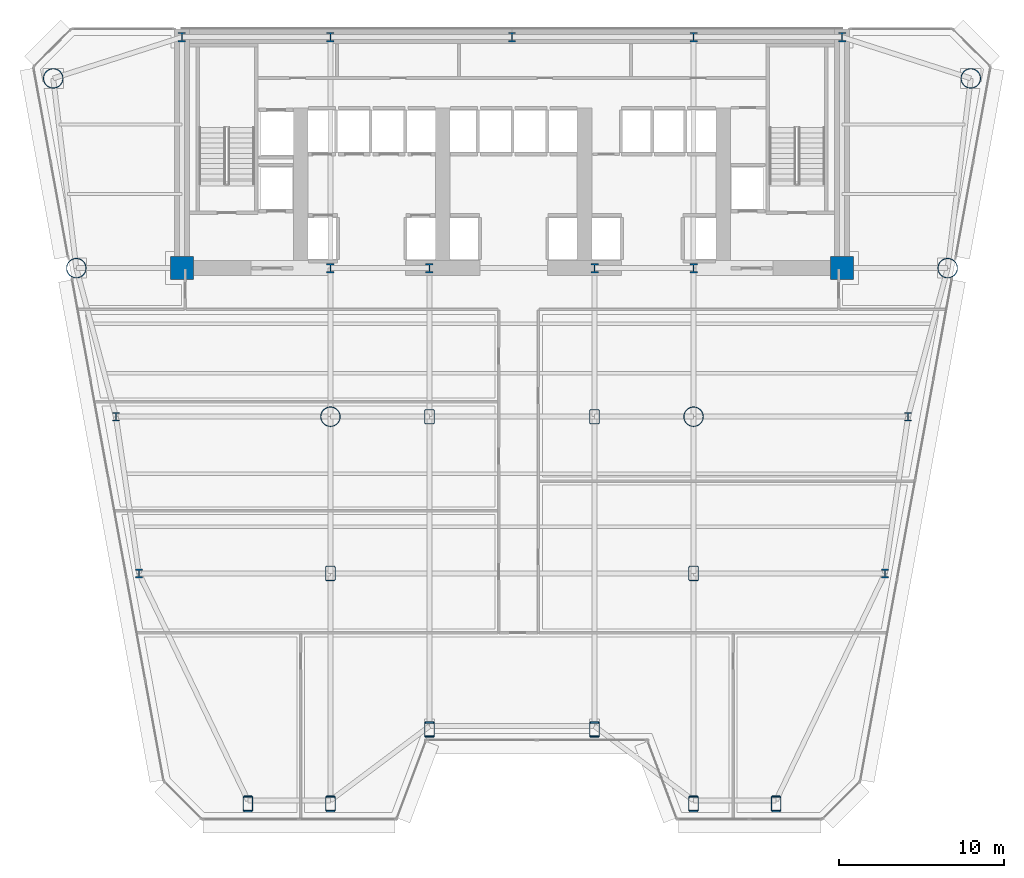
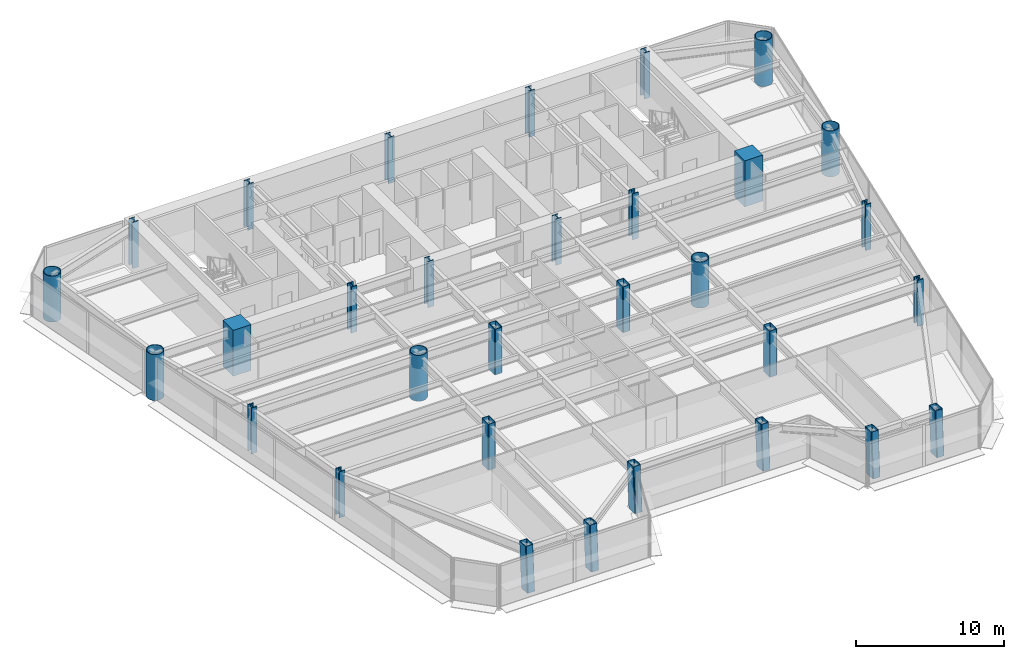
# One storey, part 1 of 14: 31 columns.
"""IFC4 building model written with IfcOpenShell, lengths in metres."""

import ifcopenshell
import ifcopenshell.guid

model = None  # the IFC model being written
_history = None  # IfcOwnerHistory: only IFC2X3 demands one
_inside = {}  # id of a spatial element -> (the spatial element, [elements in it])
_under = {}  # id of a project, library or spatial element -> (it, [spatial elements below it])
_declared = {}  # id of a project -> (the project, [libraries it declares])
_typed = {}  # id of a type object -> (the type object, [elements of that type])
_made_of = {}  # id of a material, layer set ... -> (it, [elements and type objects made of it])


def new_model(schema):
    """Start an empty IFC model of exactly this schema.

    Asked for "IFC4X3", IfcOpenShell would pick the latest addendum, in which some entities
    have other attributes; the version numbers below select the first issue.
    IFC2X3 requires an IfcOwnerHistory on every rooted entity: one is made here for all.
    """
    global model, _history
    if schema == "IFC4X3":
        model = ifcopenshell.file(schema_version=(4, 3, 0, 0))
    else:
        model = ifcopenshell.file(schema=schema)
    _inside.clear()
    _under.clear()
    _declared.clear()
    _typed.clear()
    _made_of.clear()
    _history = None
    if model.schema == "IFC2X3":
        org = make("IfcOrganization", Name="unknown")
        user = make(
            "IfcPersonAndOrganization",
            ThePerson=make("IfcPerson", FamilyName="unknown"),
            TheOrganization=org,
        )
        app = make(
            "IfcApplication",
            ApplicationDeveloper=org,
            Version="unknown",
            ApplicationFullName="unknown",
            ApplicationIdentifier="unknown",
        )
        _history = make(
            "IfcOwnerHistory",
            OwningUser=user,
            OwningApplication=app,
            ChangeAction="ADDED",
            CreationDate=0,
        )
    return model


def make(cls, **values):
    """One entity of the class cls with the attributes given. An attribute that is None is left unset."""
    return model.create_entity(
        cls, **{name: value for name, value in values.items() if value is not None}
    )


def rooted(cls, **values):
    """An entity with a GlobalId (a new one), such as an element, a storey or a relation."""
    return make(cls, GlobalId=ifcopenshell.guid.new(), OwnerHistory=_history, **values)


def si_unit(unit_type, name, prefix=None):
    """IfcSIUnit, for example si_unit("LENGTHUNIT", "METRE", prefix="MILLI")."""
    return make("IfcSIUnit", UnitType=unit_type, Prefix=prefix, Name=name)


def assignment(units):
    """IfcUnitAssignment: the units of a project."""
    return None if units is None else make("IfcUnitAssignment", Units=units)


def point(xyz):
    """IfcCartesianPoint."""
    return None if xyz is None else make("IfcCartesianPoint", Coordinates=xyz)


def direction(xyz):
    """IfcDirection."""
    return None if xyz is None else make("IfcDirection", DirectionRatios=xyz)


def frame(location, z_axis=None, x_axis=None):
    """IfcAxis2Placement3D, a coordinate frame: its origin and axes. An axis left out is left unset."""
    return make(
        "IfcAxis2Placement3D",
        Location=point(location),
        Axis=direction(z_axis),
        RefDirection=direction(x_axis),
    )


def frame_2d(location, x_axis=None):
    """IfcAxis2Placement2D, a coordinate frame in the plane: its origin and x axis."""
    return make(
        "IfcAxis2Placement2D", Location=point(location), RefDirection=direction(x_axis)
    )


def origin():
    """The frame at (0, 0, 0) with its axes left unset."""
    return frame((0.0, 0.0, 0.0))


def origin_2d():
    """The frame at (0, 0) in the plane with its x axis left unset."""
    return frame_2d((0.0, 0.0))


def place(relative_to, where):
    """IfcLocalPlacement: puts the frame where relative to a parent placement (None: the world)."""
    return make(
        "IfcLocalPlacement", PlacementRelTo=relative_to, RelativePlacement=where
    )


def context(
    kind, dimensions, precision=None, world=None, true_north=None, identifier=None
):
    """IfcGeometricRepresentationContext, for example the 3D "Model" context."""
    return make(
        "IfcGeometricRepresentationContext",
        ContextIdentifier=identifier,
        ContextType=kind,
        CoordinateSpaceDimension=dimensions,
        Precision=precision,
        WorldCoordinateSystem=world,
        TrueNorth=true_north,
    )


def subcontext(parent, identifier, kind, view, scale=None):
    """IfcGeometricRepresentationSubContext, for example "Body" below "Model"."""
    return make(
        "IfcGeometricRepresentationSubContext",
        ContextIdentifier=identifier,
        ContextType=kind,
        ParentContext=parent,
        TargetScale=scale,
        TargetView=view,
    )


def project(units=None, contexts=None):
    """IfcProject with its units and contexts."""
    return rooted(
        "IfcProject",
        Name="project",
        RepresentationContexts=contexts,
        UnitsInContext=assignment(units),
    )


def spatial(cls, under=None, at=None, **own):
    """A site, building, storey or space (cls), placed at a placement, below another one or the project."""
    s = rooted(cls, ObjectPlacement=at, **own)
    if under is not None:
        _under.setdefault(under.id(), (under, []))[1].append(s)
    return s


def profile(cls, at=None, kind="AREA", **sizes):
    """A parametric profile (cls). Its sizes go by their IFC names, for example OverallWidth=200.0."""
    return make(cls, ProfileType=kind, Position=at, **sizes)


def rectangle(**sizes):
    """IfcRectangleProfileDef."""
    return profile("IfcRectangleProfileDef", **sizes)


def hollow_rectangle(**sizes):
    """IfcRectangleHollowProfileDef."""
    return profile("IfcRectangleHollowProfileDef", **sizes)


def hollow_circle(**sizes):
    """IfcCircleHollowProfileDef."""
    return profile("IfcCircleHollowProfileDef", **sizes)


def i_section(**sizes):
    """IfcIShapeProfileDef."""
    return profile("IfcIShapeProfileDef", **sizes)


def extrude(swept, where, along, depth):
    """IfcExtrudedAreaSolid: the profile swept, set in the frame where, extruded along a direction by depth."""
    return make(
        "IfcExtrudedAreaSolid",
        SweptArea=swept,
        Position=where,
        ExtrudedDirection=direction(along),
        Depth=depth,
    )


def shape(context_of_items, identifier, shape_type, items):
    """IfcShapeRepresentation: the items that make up one representation, for example the "Body"."""
    return make(
        "IfcShapeRepresentation",
        ContextOfItems=context_of_items,
        RepresentationIdentifier=identifier,
        RepresentationType=shape_type,
        Items=items,
    )


def source(mapping_origin, context_of_items, identifier, shape_type, items):
    """IfcRepresentationMap: a shape defined once, which mapped items show again and again."""
    return make(
        "IfcRepresentationMap",
        MappingOrigin=mapping_origin,
        MappedRepresentation=shape(context_of_items, identifier, shape_type, items),
    )


def transform(
    local_origin,
    x_axis=None,
    y_axis=None,
    z_axis=None,
    scale=None,
    scale2=None,
    scale3=None,
    uniform=True,
):
    """IfcCartesianTransformationOperator3D, or its non-uniform kind. x_axis, y_axis, z_axis: its Axis1, 2, 3."""
    if uniform:
        return make(
            "IfcCartesianTransformationOperator3D",
            Axis1=direction(x_axis),
            Axis2=direction(y_axis),
            LocalOrigin=point(local_origin),
            Scale=scale,
            Axis3=direction(z_axis),
        )
    return make(
        "IfcCartesianTransformationOperator3DnonUniform",
        Axis1=direction(x_axis),
        Axis2=direction(y_axis),
        LocalOrigin=point(local_origin),
        Scale=scale,
        Axis3=direction(z_axis),
        Scale2=scale2,
        Scale3=scale3,
    )


def mapped(mapping_source, mapping_target):
    """IfcMappedItem: shows the shape of a source again, moved by a transform."""
    return make(
        "IfcMappedItem", MappingSource=mapping_source, MappingTarget=mapping_target
    )


def material(Name=None, Category=None):
    """IfcMaterial."""
    return make("IfcMaterial", Name=Name, Category=Category)


def material_profile(
    of_material, cross_section, Name=None, Category=None, Priority=None
):
    """IfcMaterialProfile: a cross section and its material."""
    return make(
        "IfcMaterialProfile",
        Name=Name,
        Material=of_material,
        Profile=cross_section,
        Priority=Priority,
        Category=Category,
    )


def profile_set(profiles, Name=None, composite=None):
    """IfcMaterialProfileSet."""
    return make(
        "IfcMaterialProfileSet",
        Name=Name,
        MaterialProfiles=profiles,
        CompositeProfile=composite,
    )


def made_of(thing, what):
    """Note that an element or type object is made of a material, layer set ...; save() writes the relation."""
    if what is not None:
        _made_of.setdefault(what.id(), (what, []))[1].append(thing)
    return thing


def type_object(cls, material=None, **own):
    """A type object (cls), such as IfcWallType, which elements share."""
    return made_of(rooted(cls, **own), material)


def element(
    cls,
    number,
    at=None,
    inside=None,
    cuts=None,
    type_object=None,
    material=None,
    context=None,
    identifier="Body",
    shape_type=None,
    held_by="IfcProductDefinitionShape",
    body=None,
    shapes=None,
    **own,
):
    """One element of the class cls, such as IfcWall. Its Tag is "e" and its number.

    at: its placement. inside: the storey or other place that contains it. cuts: it is an
    opening in that element (IfcRelVoidsElement). A single representation is given by context,
    identifier, shape_type and body (its items); several are given by shapes. held_by: the class
    of the entity that holds the representations. save() writes the other relations.
    """
    e = rooted(cls, Tag="e%d" % number, ObjectPlacement=at, **own)
    if body is not None:
        shapes = [shape(context, identifier, shape_type, body)]
    if shapes is not None:
        e.Representation = make(held_by, Representations=shapes)
    if inside is not None:
        _inside.setdefault(inside.id(), (inside, []))[1].append(e)
    if cuts is not None:
        rooted(
            "IfcRelVoidsElement", RelatingBuildingElement=cuts, RelatedOpeningElement=e
        )
    if type_object is not None:
        _typed.setdefault(type_object.id(), (type_object, []))[1].append(e)
    return made_of(e, material)


def aggregate(whole, parts):
    """IfcRelAggregates: a whole, such as a stair, and the parts it consists of."""
    return rooted("IfcRelAggregates", RelatingObject=whole, RelatedObjects=parts)


def save(model, path):
    """Write the relations noted so far, then the file.

    IfcRelAggregates (storeys below a building ...), IfcRelContainedInSpatialStructure (elements
    in a storey), IfcRelDefinesByType, IfcRelAssociatesMaterial and IfcRelDeclares: one each for
    every whole, place, type object, material and project.
    """
    for whole, parts in _under.values():
        aggregate(whole, parts)
    for where, things in _inside.values():
        rooted(
            "IfcRelContainedInSpatialStructure",
            RelatedElements=things,
            RelatingStructure=where,
        )
    for kind, things in _typed.values():
        rooted("IfcRelDefinesByType", RelatedObjects=things, RelatingType=kind)
    for what, things in _made_of.values():
        rooted("IfcRelAssociatesMaterial", RelatedObjects=things, RelatingMaterial=what)
    for by, libraries in _declared.values():
        rooted("IfcRelDeclares", RelatingContext=by, RelatedDefinitions=libraries)
    model.write(path)


model = new_model("IFC4")

# Units and contexts
model_context = context("Model", 3, precision=1e-05, world=origin(), true_north=direction((0.0, 1.0)))
body_context = subcontext(model_context, "Body", "Model", "MODEL_VIEW")
ifc_project = project(units=[si_unit("LENGTHUNIT", "METRE"), si_unit("AREAUNIT", "SQUARE_METRE"), si_unit("VOLUMEUNIT", "CUBIC_METRE"), si_unit("PLANEANGLEUNIT", "RADIAN"), si_unit("MASSUNIT", "GRAM", prefix="KILO")], contexts=[model_context])

# Site, building, storey
site_placement = place(None, origin())
site = spatial("IfcSite", under=ifc_project, at=site_placement, CompositionType="ELEMENT")
building_placement = place(site_placement, origin())
building = spatial("IfcBuilding", under=site, at=building_placement, Name="Vaeldorn Concourse Tower", CompositionType="ELEMENT")
storey_placement = place(building_placement, frame((0.0, 0.0, 68.199951171875)))
storey = spatial("IfcBuildingStorey", under=building, at=storey_placement, Name="L17", CompositionType="ELEMENT", Elevation=68.199951171875)

# Columns
ifc_material_1 = material(Name="Concrete C60/75", Category="concrete")
ifc_material_profile_1 = material_profile(ifc_material_1, rectangle(XDim=1.39990234375, YDim=1.39990234375, at=origin_2d()), Name="RC 1400x1400")
ifc_profile_set_1 = profile_set([ifc_material_profile_1], Name="Concrete C60/75")
column_type_1 = type_object("IfcColumnType", Name="COL-RC1400", PredefinedType="COLUMN", material=ifc_profile_set_1)
shared_shape_1 = source(origin(), body_context, "Body", "SweptSolid", [
    extrude(rectangle(XDim=1.39990234375, YDim=1.39990234375, at=origin_2d()), origin(), (0.0, 0.0, 1.0), 3.800048828125),
])
for number, where, z_axis, x_axis, name in (
    (1, (14.0, 36.5, 0.0), (0.0, 0.0, 1.0), (1.0, 0.0, 0.0), "Column C-FC1 L17"),
    (2, (54.0, 36.5, 0.0), (0.0, 0.0, 1.0), (1.0, 0.0, 0.0), "Column C-FC6 L17"),
):
    element("IfcColumn", number, at=place(storey_placement, frame(where, z_axis=z_axis, x_axis=x_axis)), inside=storey, type_object=column_type_1, Name=name, PredefinedType="COLUMN", context=body_context, shape_type="MappedRepresentation", body=[
        mapped(shared_shape_1, transform((0.0, 0.0, 0.0), scale=1.0)),
    ])
ifc_material_2 = material(Name="Steel S460", Category="steel")
ifc_material_profile_2 = material_profile(ifc_material_2, i_section(OverallWidth=0.4541015625, OverallDepth=0.569091796875, WebThickness=0.077880859375, FlangeThickness=0.080078125, FilletRadius=0.014892578125, at=origin_2d()), Name="HD 400x1086")
ifc_profile_set_2 = profile_set([ifc_material_profile_2], Name="Steel S460")
column_type_2 = type_object("IfcColumnType", Name="COL-HD1086", PredefinedType="COLUMN", material=ifc_profile_set_2)
shared_shape_2 = source(origin(), body_context, "Body", "SweptSolid", [
    extrude(i_section(OverallWidth=0.4541015625, OverallDepth=0.569091796875, WebThickness=0.077880859375, FlangeThickness=0.080078125, FilletRadius=0.014892578125, at=origin_2d()), origin(), (0.0, 0.0, 1.0), 3.800048828125),
])
for number, where, z_axis, x_axis, name in (
    (3, (23.0, 36.5, 0.0), (0.0, 0.0, 1.0), (1.0, 0.0, 0.0), "Column C-FC2 L17"),
    (4, (29.0, 36.5, 0.0), (0.0, 0.0, 1.0), (1.0, 0.0, 0.0), "Column C-FC3 L17"),
    (5, (39.0, 36.5, 0.0), (0.0, 0.0, 1.0), (1.0, 0.0, 0.0), "Column C-FC4 L17"),
    (6, (45.0, 36.5, 0.0), (0.0, 0.0, 1.0), (1.0, 0.0, 0.0), "Column C-FC5 L17"),
    (7, (14.0, 50.5, 0.0), (0.0, 0.0, 1.0), (1.0, 0.0, 0.0), "Column C-HC1 L17"),
    (8, (23.0, 50.5, 0.0), (0.0, 0.0, 1.0), (1.0, 0.0, 0.0), "Column C-HC2 L17"),
    (9, (34.0, 50.5, 0.0), (0.0, 0.0, 1.0), (1.0, 0.0, 0.0), "Column C-HC3 L17"),
    (10, (45.0, 50.5, 0.0), (0.0, 0.0, 1.0), (1.0, 0.0, 0.0), "Column C-HC4 L17"),
    (11, (54.0, 50.5, 0.0), (0.0, 0.0, 1.0), (1.0, 0.0, 0.0), "Column C-HC5 L17"),
):
    element("IfcColumn", number, at=place(storey_placement, frame(where, z_axis=z_axis, x_axis=x_axis)), inside=storey, type_object=column_type_2, Name=name, PredefinedType="COLUMN", context=body_context, shape_type="MappedRepresentation", body=[
        mapped(shared_shape_2, transform((0.0, 0.0, 0.0), scale=1.0)),
    ])
ifc_material_profile_3 = material_profile(ifc_material_2, hollow_circle(Radius=0.609619140625, WallThickness=0.050048828125, at=origin_2d()), Name="CHS 1219x50")
ifc_profile_set_3 = profile_set([ifc_material_profile_3], Name="Steel S460")
column_type_3 = type_object("IfcColumnType", Name="COL-CHS1219", PredefinedType="COLUMN", material=ifc_profile_set_3)
shared_shape_3 = source(origin(), body_context, "Body", "SweptSolid", [
    extrude(hollow_circle(Radius=0.609619140625, WallThickness=0.050048828125, at=origin_2d()), origin(), (0.0, 0.0, 1.0), 3.800048828125),
])
for number, where, z_axis, x_axis, name in (
    (12, (6.199951171875, 48.0, 0.0), (0.0, 0.0, 1.0), (1.0, 0.0, 0.0), "Column C-NW1 L17"),
    (13, (7.60009765625, 36.5, 0.0), (0.0, 0.0, 1.0), (1.0, 0.0, 0.0), "Column C-NW2 L17"),
    (14, (61.800048828125, 48.0, 0.0), (0.0, 0.0, 1.0), (1.0, 0.0, 0.0), "Column C-NE1 L17"),
    (15, (60.39990234375, 36.5, 0.0), (0.0, 0.0, 1.0), (1.0, 0.0, 0.0), "Column C-NE2 L17"),
    (16, (23.0, 27.5, 0.0), (0.0, 0.0, 1.0), (1.0, 0.0, 0.0), "Column C-TW1 L17"),
    (17, (45.0, 27.5, 0.0), (0.0, 0.0, 1.0), (1.0, 0.0, 0.0), "Column C-TW4 L17"),
):
    element("IfcColumn", number, at=place(storey_placement, frame(where, z_axis=z_axis, x_axis=x_axis)), inside=storey, type_object=column_type_3, Name=name, PredefinedType="COLUMN", context=body_context, shape_type="MappedRepresentation", body=[
        mapped(shared_shape_3, transform((0.0, 0.0, 0.0), scale=1.0)),
    ])
ifc_material_profile_4 = material_profile(ifc_material_2, i_section(OverallWidth=0.44189453125, OverallDepth=0.531005859375, WebThickness=0.06494140625, FlangeThickness=0.075927734375, FilletRadius=0.014892578125, at=origin_2d()), Name="HD 400x900")
ifc_profile_set_4 = profile_set([ifc_material_profile_4], Name="Steel S460")
column_type_4 = type_object("IfcColumnType", Name="COL-HD900F", PredefinedType="COLUMN", material=ifc_profile_set_4)
shared_shape_4 = source(origin(), body_context, "Body", "SweptSolid", [
    extrude(i_section(OverallWidth=0.44189453125, OverallDepth=0.531005859375, WebThickness=0.06494140625, FlangeThickness=0.075927734375, FilletRadius=0.014892578125, at=origin_2d()), origin(), (0.0, 0.0, 1.0), 3.800048828125),
])
for number, where, z_axis, x_axis, name in (
    (18, (10.0, 27.5, 0.0), (0.0, 0.0, 1.0), (1.0, 0.0, 0.0), "Column C-FLW1 L17"),
    (19, (11.39990234375, 18.0, 0.0), (0.0, 0.0, 1.0), (1.0, 0.0, 0.0), "Column C-FLW2 L17"),
    (20, (58.0, 27.5, 0.0), (0.0, 0.0, 1.0), (1.0, 0.0, 0.0), "Column C-FLE1 L17"),
    (21, (56.60009765625, 18.0, 0.0), (0.0, 0.0, 1.0), (1.0, 0.0, 0.0), "Column C-FLE2 L17"),
):
    element("IfcColumn", number, at=place(storey_placement, frame(where, z_axis=z_axis, x_axis=x_axis)), inside=storey, type_object=column_type_4, Name=name, PredefinedType="COLUMN", context=body_context, shape_type="MappedRepresentation", body=[
        mapped(shared_shape_4, transform((0.0, 0.0, 0.0), scale=1.0)),
    ])
ifc_material_profile_5 = material_profile(ifc_material_2, hollow_rectangle(XDim=0.60009765625, YDim=0.89990234375, WallThickness=0.0400390625, InnerFilletRadius=0.0400390625, OuterFilletRadius=0.080078125, at=origin_2d()), Name="RHS 900x600x40")
ifc_profile_set_5 = profile_set([ifc_material_profile_5], Name="Steel S460")
column_type_5 = type_object("IfcColumnType", Name="COL-RHS900", PredefinedType="COLUMN", material=ifc_profile_set_5)
shared_shape_5 = source(origin(), body_context, "Body", "SweptSolid", [
    extrude(hollow_rectangle(XDim=0.60009765625, YDim=0.89990234375, WallThickness=0.0400390625, InnerFilletRadius=0.0400390625, OuterFilletRadius=0.080078125, at=origin_2d()), origin(), (0.0, 0.0, 1.0), 3.800048828125),
])
for number, where, z_axis, x_axis, name in (
    (22, (29.0, 27.5, 0.0), (0.0, 0.0, 1.0), (1.0, 0.0, 0.0), "Column C-TW2 L17"),
    (23, (39.0, 27.5, 0.0), (0.0, 0.0, 1.0), (1.0, 0.0, 0.0), "Column C-TW3 L17"),
    (24, (23.0, 18.0, 0.0), (0.0, 0.0, 1.0), (1.0, 0.0, 0.0), "Column C-TW5 L17"),
    (25, (45.0, 18.0, 0.0), (0.0, 0.0, 1.0), (1.0, 0.0, 0.0), "Column C-TW6 L17"),
):
    element("IfcColumn", number, at=place(storey_placement, frame(where, z_axis=z_axis, x_axis=x_axis)), inside=storey, type_object=column_type_5, Name=name, PredefinedType="COLUMN", context=body_context, shape_type="MappedRepresentation", body=[
        mapped(shared_shape_5, transform((0.0, 0.0, 0.0), scale=1.0)),
    ])
shared_shape_6 = source(origin(), body_context, "Body", "SweptSolid", [
    extrude(hollow_rectangle(XDim=0.60009765625, YDim=0.89990234375, WallThickness=0.0400390625, InnerFilletRadius=0.0400390625, OuterFilletRadius=0.080078125, at=origin_2d()), origin(), (0.0, 0.0, 1.0), 3.74365234375),
])
for number, where, z_axis, x_axis, name in (
    (26, (18.0, 4.008056640625, 0.031982421875), (0.0, 0.063843869911, 0.997959899132), (-1.0, 0.0, 0.0), "Column C-SF1 L17"),
    (27, (23.0, 4.008056640625, 0.031982421875), (0.0, 0.063843869911, 0.997959899132), (-1.0, 0.0, 0.0), "Column C-SF2 L17"),
    (28, (29.0, 8.508056640625, 0.031982421875), (0.0, 0.063843869911, 0.997959899132), (-1.0, 0.0, 0.0), "Column C-SF3 L17"),
    (29, (39.0, 8.508056640625, 0.031982421875), (0.0, 0.063843869911, 0.997959899132), (-1.0, 0.0, 0.0), "Column C-SF4 L17"),
    (30, (45.0, 4.008056640625, 0.031982421875), (0.0, 0.063843869911, 0.997959899132), (-1.0, 0.0, 0.0), "Column C-SF5 L17"),
    (31, (50.0, 4.008056640625, 0.031982421875), (0.0, 0.063843869911, 0.997959899132), (-1.0, 0.0, 0.0), "Column C-SF6 L17"),
):
    element("IfcColumn", number, at=place(storey_placement, frame(where, z_axis=z_axis, x_axis=x_axis)), inside=storey, type_object=column_type_5, Name=name, PredefinedType="COLUMN", context=body_context, shape_type="MappedRepresentation", body=[
        mapped(shared_shape_6, transform((0.0, 0.0, 0.0), scale=1.0)),
    ])

save(model, "model.ifc")
